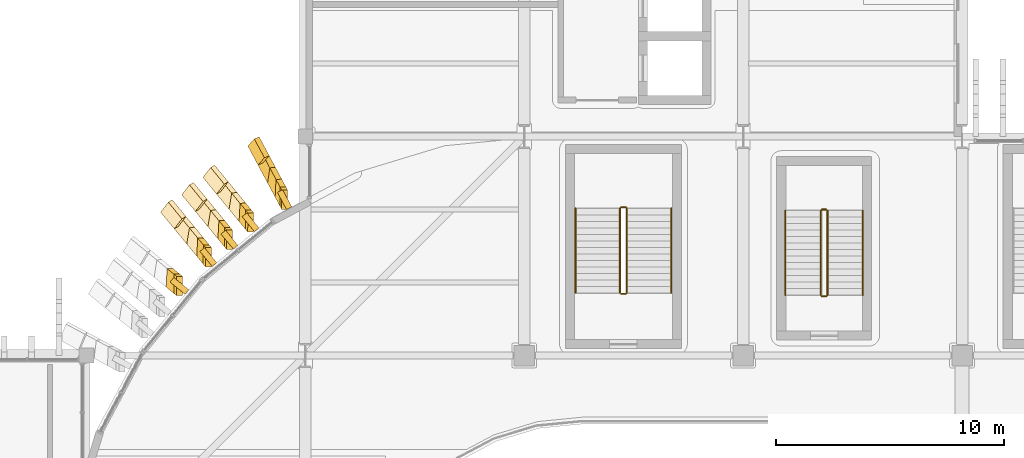
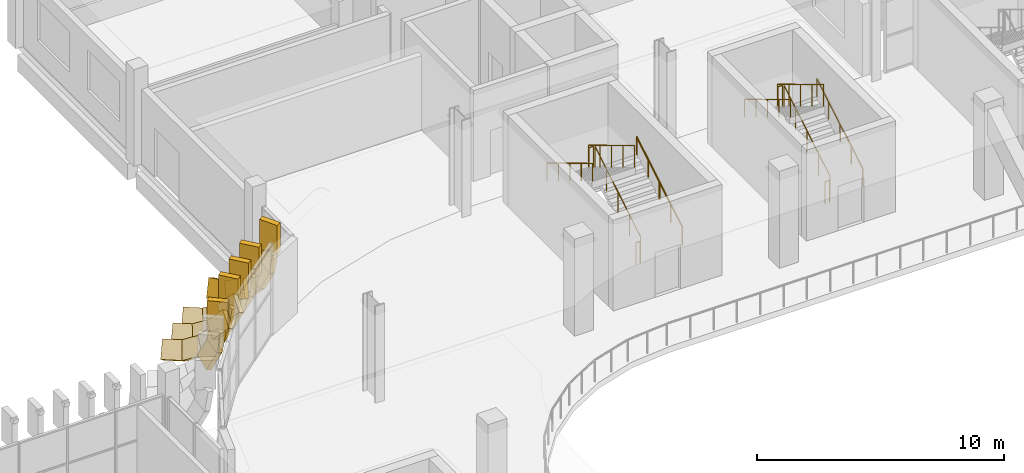
# One storey, part 84 of 100: 27 coverings, 12 railings.
"""IFC4 building model written with IfcOpenShell, lengths in metres."""

from ifc_helpers import new_model, si_unit, direction, frame, origin, origin_2d, place, context, subcontext, project, spatial, rectangle, circle, extrude, material, material_profile, profile_set, type_object, element, save


model = new_model("IFC4")

# Units and contexts
model_context = context("Model", 3, precision=1e-05, world=origin(), true_north=direction((0.0, 1.0)))
body_context = subcontext(model_context, "Body", "Model", "MODEL_VIEW")
ifc_project = project(units=[si_unit("LENGTHUNIT", "METRE"), si_unit("AREAUNIT", "SQUARE_METRE"), si_unit("VOLUMEUNIT", "CUBIC_METRE"), si_unit("PLANEANGLEUNIT", "RADIAN"), si_unit("MASSUNIT", "GRAM", prefix="KILO")], contexts=[model_context])

# Site, building, storey
site_placement = place(None, origin())
site = spatial("IfcSite", under=ifc_project, at=site_placement, CompositionType="ELEMENT")
building_placement = place(site_placement, origin())
building = spatial("IfcBuilding", under=site, at=building_placement, Name="Caelomonte Colonnade Arena", CompositionType="ELEMENT")
storey_placement = place(building_placement, origin())
storey = spatial("IfcBuildingStorey", under=building, at=storey_placement, Name="L00", CompositionType="ELEMENT", Elevation=0.0)

# Coverings
ifc_material_1 = material(Name="Precast travertine cladding", Category="masonry")
ifc_material_profile = material_profile(ifc_material_1, rectangle(XDim=0.260009765625, YDim=0.85009765625, at=origin_2d()), Name="FIN260X850")
ifc_profile_set = profile_set([ifc_material_profile], Name="Precast travertine cladding")
covering_type = type_object("IfcCoveringType", Name="ENV-FN-SKIRT", PredefinedType="CLADDING", material=ifc_profile_set)
covering_1_placement = place(storey_placement, frame((66.29150390625, 112.436767578125, 3.360107421875), z_axis=(0.0, 0.0, 1.0), x_axis=(0.881921264348, 0.471396736826, 0.0)))
element("IfcCovering", 1, at=covering_1_placement, inside=storey, type_object=covering_type, Name="V1 L00 upper classical fin stem 155", PredefinedType="CLADDING", context=body_context, shape_type="SweptSolid", body=[
    extrude(rectangle(XDim=0.260009765625, YDim=0.85009765625, at=origin_2d()), origin(), (0.0, 0.0, 1.0), 1.4599609375),
])
covering_2_placement = place(storey_placement, frame((66.294677734375, 112.4306640625, 3.474609375), z_axis=(-0.071935878421, 0.135152256427, -0.988210046993), x_axis=(-0.997387160101, -0.003152036005, 0.072172830995)))
element("IfcCovering", 2, at=covering_2_placement, inside=storey, type_object=covering_type, Name="V1 L00 splayed classical fin skirt chord 1 (155)", PredefinedType="CLADDING", context=body_context, shape_type="SweptSolid", body=[
    extrude(rectangle(XDim=0.260009765625, YDim=0.85009765625, at=origin_2d()), origin(), (0.0, 0.0, 1.0), 1.008056640625),
])
for number, where, z_axis, x_axis, name in (
    (3, (66.234619140625, 112.543212890625, 2.563232421875), (-0.20953861603, 0.391946220505, -0.895807863676), (-0.976843601735, -0.043391887943, 0.209508285779), "V1 L00 splayed classical fin skirt chord 2 (155)"),
    (4, (66.047607421875, 112.89306640625, 1.733154296875), (-0.327262171357, 0.612617343717, -0.719443855611), (-0.937684157382, -0.116412376959, 0.327408887304), "V1 L00 splayed classical fin skirt chord 3 (155)"),
):
    element("IfcCovering", number, at=place(storey_placement, frame(where, z_axis=z_axis, x_axis=x_axis)), inside=storey, type_object=covering_type, Name=name, PredefinedType="CLADDING", context=body_context, shape_type="SweptSolid", body=[
        extrude(rectangle(XDim=0.260009765625, YDim=0.85009765625, at=origin_2d()), origin(), (0.0, 0.0, 1.0), 1.0078125),
    ])
covering_3_placement = place(storey_placement, frame((65.751220703125, 113.447998046875, 1.061767578125), z_axis=(-0.414891041546, 0.77577116525, -0.475441397873), x_axis=(-0.883384372099, -0.218283359285, 0.414710050746)))
element("IfcCovering", 5, at=covering_3_placement, inside=storey, type_object=covering_type, Name="V1 L00 splayed classical fin skirt chord 4 (155)", PredefinedType="CLADDING", context=body_context, shape_type="SweptSolid", body=[
    extrude(rectangle(XDim=0.260009765625, YDim=0.85009765625, at=origin_2d()), origin(), (0.0, 0.0, 1.0), 1.008056640625),
])
covering_4_placement = place(storey_placement, frame((65.37255859375, 114.156005859375, 0.6123046875), z_axis=(-0.46296463112, 0.866347286164, -0.187366299232), x_axis=(-0.819453342701, -0.337760921737, 0.4630483548)))
element("IfcCovering", 6, at=covering_4_placement, inside=storey, type_object=covering_type, Name="V1 L00 splayed classical fin skirt chord 5 (155)", PredefinedType="CLADDING", context=body_context, shape_type="SweptSolid", body=[
    extrude(rectangle(XDim=0.260009765625, YDim=0.85009765625, at=origin_2d()), origin(), (0.0, 0.0, 1.0), 0.962890625),
])
covering_5_placement = place(storey_placement, frame((64.802490234375, 111.44189453125, 3.360107421875), z_axis=(0.0, 0.0, 1.0), x_axis=(0.77299384472, 0.634413521313, 0.0)))
element("IfcCovering", 7, at=covering_5_placement, inside=storey, type_object=covering_type, Name="V1 L00 upper classical fin stem 156", PredefinedType="CLADDING", context=body_context, shape_type="SweptSolid", body=[
    extrude(rectangle(XDim=0.260009765625, YDim=0.85009765625, at=origin_2d()), origin(), (0.0, 0.0, 1.0), 1.4599609375),
])
for number, where, z_axis, x_axis, name in (
    (8, (64.806884765625, 111.4365234375, 3.474609375), (-0.097127335462, 0.11819984964, -0.988228251089), (-0.99525848015, -0.006366466969, 0.097056817318), "V1 L00 splayed classical fin skirt chord 1 (156)"),
    (9, (64.72607421875, 111.534912109375, 2.563232421875), (-0.282172581046, 0.343693469961, -0.895686012625), (-0.958007139963, -0.05131451586, 0.282115473242), "V1 L00 splayed classical fin skirt chord 2 (156)"),
    (10, (64.47412109375, 111.841552734375, 1.733154296875), (-0.440592785207, 0.536995164817, -0.719384591569), (-0.887077861354, -0.13748356392, 0.440671235216), "V1 L00 splayed classical fin skirt chord 3 (156)"),
):
    element("IfcCovering", number, at=place(storey_placement, frame(where, z_axis=z_axis, x_axis=x_axis)), inside=storey, type_object=covering_type, Name=name, PredefinedType="CLADDING", context=body_context, shape_type="SweptSolid", body=[
        extrude(rectangle(XDim=0.260009765625, YDim=0.85009765625, at=origin_2d()), origin(), (0.0, 0.0, 1.0), 1.008056640625),
    ])
covering_6_placement = place(storey_placement, frame((64.074951171875, 112.328125, 1.061767578125), z_axis=(-0.558128890161, 0.679977341442, -0.47552387647), x_axis=(-0.788895895892, -0.257240809119, 0.558095360641)))
element("IfcCovering", 11, at=covering_6_placement, inside=storey, type_object=covering_type, Name="V1 L00 splayed classical fin skirt chord 4 (156)", PredefinedType="CLADDING", context=body_context, shape_type="SweptSolid", body=[
    extrude(rectangle(XDim=0.260009765625, YDim=0.85009765625, at=origin_2d()), origin(), (0.0, 0.0, 1.0), 1.0078125),
])
covering_7_placement = place(storey_placement, frame((63.565673828125, 112.94873046875, 0.6123046875), z_axis=(-0.623289567494, 0.759206251049, -0.187392591692), x_axis=(-0.672881184706, -0.398602426451, 0.623174948868)))
element("IfcCovering", 12, at=covering_7_placement, inside=storey, type_object=covering_type, Name="V1 L00 splayed classical fin skirt chord 5 (156)", PredefinedType="CLADDING", context=body_context, shape_type="SweptSolid", body=[
    extrude(rectangle(XDim=0.260009765625, YDim=0.85009765625, at=origin_2d()), origin(), (0.0, 0.0, 1.0), 0.962890625),
])
covering_8_placement = place(storey_placement, frame((63.874755859375, 110.680419921875, 3.360107421875), z_axis=(0.0, 0.0, 1.0), x_axis=(0.77299384472, 0.634413521313, 0.0)))
element("IfcCovering", 13, at=covering_8_placement, inside=storey, type_object=covering_type, Name="V1 L00 upper classical fin stem 157", PredefinedType="CLADDING", context=body_context, shape_type="SweptSolid", body=[
    extrude(rectangle(XDim=0.260009765625, YDim=0.85009765625, at=origin_2d()), origin(), (0.0, 0.0, 1.0), 1.4599609375),
])
covering_9_placement = place(storey_placement, frame((63.879150390625, 110.67529296875, 3.474609375), z_axis=(-0.097130113441, 0.117961010588, -0.988256515811), x_axis=(-0.995262967256, -0.007354230871, 0.096940916528)))
element("IfcCovering", 14, at=covering_9_placement, inside=storey, type_object=covering_type, Name="V1 L00 splayed classical fin skirt chord 1 (157)", PredefinedType="CLADDING", context=body_context, shape_type="SweptSolid", body=[
    extrude(rectangle(XDim=0.260009765625, YDim=0.85009765625, at=origin_2d()), origin(), (0.0, 0.0, 1.0), 1.0078125),
])
for number, where, z_axis, x_axis, name in (
    (15, (63.79833984375, 110.7734375, 2.563232421875), (-0.281926155371, 0.343930533184, -0.895672613884), (-0.958040803784, -0.050586734672, 0.282132593935), "V1 L00 splayed classical fin skirt chord 2 (157)"),
    (16, (63.546630859375, 111.080322265625, 1.733154296875), (-0.440592785207, 0.536995164817, -0.719384591569), (-0.887077861354, -0.13748356392, 0.440671235216), "V1 L00 splayed classical fin skirt chord 3 (157)"),
):
    element("IfcCovering", number, at=place(storey_placement, frame(where, z_axis=z_axis, x_axis=x_axis)), inside=storey, type_object=covering_type, Name=name, PredefinedType="CLADDING", context=body_context, shape_type="SweptSolid", body=[
        extrude(rectangle(XDim=0.260009765625, YDim=0.85009765625, at=origin_2d()), origin(), (0.0, 0.0, 1.0), 1.008056640625),
    ])
covering_10_placement = place(storey_placement, frame((63.1474609375, 111.56689453125, 1.061767578125), z_axis=(-0.558128890161, 0.679977341442, -0.47552387647), x_axis=(-0.788895895892, -0.257240809119, 0.558095360641)))
element("IfcCovering", 17, at=covering_10_placement, inside=storey, type_object=covering_type, Name="V1 L00 splayed classical fin skirt chord 4 (157)", PredefinedType="CLADDING", context=body_context, shape_type="SweptSolid", body=[
    extrude(rectangle(XDim=0.260009765625, YDim=0.85009765625, at=origin_2d()), origin(), (0.0, 0.0, 1.0), 1.0078125),
])
covering_11_placement = place(storey_placement, frame((62.637939453125, 112.1875, 0.6123046875), z_axis=(-0.623134466498, 0.759326248554, -0.187422210314), x_axis=(-0.672972634841, -0.398453615864, 0.62317136388)))
element("IfcCovering", 18, at=covering_11_placement, inside=storey, type_object=covering_type, Name="V1 L00 splayed classical fin skirt chord 5 (157)", PredefinedType="CLADDING", context=body_context, shape_type="SweptSolid", body=[
    extrude(rectangle(XDim=0.260009765625, YDim=0.85009765625, at=origin_2d()), origin(), (0.0, 0.0, 1.0), 0.962646484375),
])
covering_12_placement = place(storey_placement, frame((62.947265625, 109.919189453125, 3.360107421875), z_axis=(0.0, 0.0, 1.0), x_axis=(0.77299384472, 0.634413521313, 0.0)))
element("IfcCovering", 19, at=covering_12_placement, inside=storey, type_object=covering_type, Name="V1 L00 upper classical fin stem 158", PredefinedType="CLADDING", context=body_context, shape_type="SweptSolid", body=[
    extrude(rectangle(XDim=0.260009765625, YDim=0.85009765625, at=origin_2d()), origin(), (0.0, 0.0, 1.0), 1.4599609375),
])
for number, where, z_axis, x_axis, name in (
    (20, (62.95166015625, 109.913818359375, 3.474609375), (-0.097127335462, 0.11819984964, -0.988228251089), (-0.99525848015, -0.006366466969, 0.097056817318), "V1 L00 splayed classical fin skirt chord 1 (158)"),
    (21, (62.870849609375, 110.01220703125, 2.563232421875), (-0.282172581046, 0.343693469961, -0.895686012625), (-0.958007139963, -0.05131451586, 0.282115473242), "V1 L00 splayed classical fin skirt chord 2 (158)"),
    (22, (62.618896484375, 110.319091796875, 1.733154296875), (-0.440592785207, 0.536995164817, -0.719384591569), (-0.887077861354, -0.13748356392, 0.440671235216), "V1 L00 splayed classical fin skirt chord 3 (158)"),
    (23, (62.2197265625, 110.805419921875, 1.061767578125), (-0.558036961483, 0.680107546807, -0.475445553555), (-0.788909297872, -0.257141420872, 0.558122217264), "V1 L00 splayed classical fin skirt chord 4 (158)"),
):
    element("IfcCovering", number, at=place(storey_placement, frame(where, z_axis=z_axis, x_axis=x_axis)), inside=storey, type_object=covering_type, Name=name, PredefinedType="CLADDING", context=body_context, shape_type="SweptSolid", body=[
        extrude(rectangle(XDim=0.260009765625, YDim=0.85009765625, at=origin_2d()), origin(), (0.0, 0.0, 1.0), 1.008056640625),
    ])
covering_13_placement = place(storey_placement, frame((61.71044921875, 111.426025390625, 0.6123046875), z_axis=(-0.623169588637, 0.759313636277, -0.187356519936), x_axis=(-0.672931937109, -0.398509912609, 0.623179314139)))
element("IfcCovering", 24, at=covering_13_placement, inside=storey, type_object=covering_type, Name="V1 L00 splayed classical fin skirt chord 5 (158)", PredefinedType="CLADDING", context=body_context, shape_type="SweptSolid", body=[
    extrude(rectangle(XDim=0.260009765625, YDim=0.85009765625, at=origin_2d()), origin(), (0.0, 0.0, 1.0), 0.962890625),
])
covering_14_placement = place(storey_placement, frame((61.680908203125, 108.65283203125, 3.360107421875), z_axis=(0.0, 0.0, 1.0), x_axis=(0.634413521313, 0.77299384472, 0.0)))
element("IfcCovering", 25, at=covering_14_placement, inside=storey, type_object=covering_type, Name="V1 L00 upper classical fin stem 159", PredefinedType="CLADDING", context=body_context, shape_type="SweptSolid", body=[
    extrude(rectangle(XDim=0.260009765625, YDim=0.85009765625, at=origin_2d()), origin(), (0.0, 0.0, 1.0), 1.4599609375),
])
for number, where, z_axis, x_axis, name in (
    (26, (61.68603515625, 108.6484375, 3.474609375), (-0.11819984964, 0.097127335462, -0.988228251089), (-0.992969417275, -0.005180578696, 0.11825776068), "V1 L00 splayed classical fin skirt chord 1 (159)"),
    (27, (61.587890625, 108.729248046875, 2.563232421875), (-0.343930533184, 0.281926155371, -0.895672613884), (-0.937631468445, -0.051724860589, 0.343761208076), "V1 L00 splayed classical fin skirt chord 2 (159)"),
):
    element("IfcCovering", number, at=place(storey_placement, frame(where, z_axis=z_axis, x_axis=x_axis)), inside=storey, type_object=covering_type, Name=name, PredefinedType="CLADDING", context=body_context, shape_type="SweptSolid", body=[
        extrude(rectangle(XDim=0.260009765625, YDim=0.85009765625, at=origin_2d()), origin(), (0.0, 0.0, 1.0), 1.008056640625),
    ])

# Railings
ifc_material_2 = material(Name="Painted galvanized steel stair guard", Category="steel")
railing_type_1 = type_object("IfcRailingType", Name="INT-RL-GRD", PredefinedType="GUARDRAIL", material=ifc_material_2)
railing_1_placement = place(storey_placement, frame((81.300048828125, 108.35009765625, 0.17138671875)))
element("IfcRailing", 28, at=railing_1_placement, inside=storey, type_object=railing_type_1, Name="L00 ST-14 stair guard 1", PredefinedType="GUARDRAIL", context=body_context, shape_type="SweptSolid", body=[
    extrude(circle(Radius=0.02392578125, at=origin_2d()), frame((0.0, 0.0, 1.076171875), z_axis=(0.0, 0.856919398105, 0.515450429384), x_axis=(-1.0, 0.0, 0.0)), (0.0, 0.0, 1.0), 4.323486328125),
    extrude(circle(Radius=0.02099609375, at=origin_2d()), origin(), (0.0, 0.0, 1.0), 1.048095703125),
    extrude(circle(Radius=0.02099609375, at=origin_2d()), frame((0.0, 0.92626953125, 0.55712890625)), (0.0, 0.0, 1.0), 1.048095703125),
    extrude(circle(Radius=0.02099609375, at=origin_2d()), frame((0.0, 1.8525390625, 1.1142578125)), (0.0, 0.0, 1.0), 1.048095703125),
    extrude(circle(Radius=0.02099609375, at=origin_2d()), frame((0.0, 2.778564453125, 1.67138671875)), (0.0, 0.0, 1.0), 1.048095703125),
    extrude(circle(Radius=0.02099609375, at=origin_2d()), frame((0.0, 3.704833984375, 2.228515625)), (0.0, 0.0, 1.0), 1.048095703125),
])
railing_2_placement = place(storey_placement, frame((81.25, 112.10498046875, 2.39990234375)))
element("IfcRailing", 29, at=railing_2_placement, inside=storey, type_object=railing_type_1, Name="L00 ST-14 stair guard 2", PredefinedType="GUARDRAIL", context=body_context, shape_type="SweptSolid", body=[
    extrude(circle(Radius=0.02392578125, at=origin_2d()), frame((0.0, 0.0, 1.076171875), z_axis=(-1.0, 0.0, 0.0), x_axis=(0.0, -1.0, 0.0)), (0.0, 0.0, 1.0), 0.199951171875),
    extrude(circle(Radius=0.02099609375, at=origin_2d()), origin(), (0.0, 0.0, 1.0), 1.048095703125),
    extrude(circle(Radius=0.02099609375, at=origin_2d()), frame((-0.199951171875, 0.0, 0.0)), (0.0, 0.0, 1.0), 1.048095703125),
])
railing_3_placement = place(storey_placement, frame((81.0, 112.054931640625, 2.571533203125)))
element("IfcRailing", 30, at=railing_3_placement, inside=storey, type_object=railing_type_1, Name="L00 ST-14 stair guard 3", PredefinedType="GUARDRAIL", context=body_context, shape_type="SweptSolid", body=[
    extrude(circle(Radius=0.02392578125, at=origin_2d()), frame((0.0, 0.0, 1.076171875), z_axis=(0.0, -0.856919398105, 0.515450429384), x_axis=(1.0, 0.0, 0.0)), (0.0, 0.0, 1.0), 4.323486328125),
    extrude(circle(Radius=0.02099609375, at=origin_2d()), origin(), (0.0, 0.0, 1.0), 1.048095703125),
    extrude(circle(Radius=0.02099609375, at=origin_2d()), frame((0.0, -0.92626953125, 0.55712890625)), (0.0, 0.0, 1.0), 1.048095703125),
    extrude(circle(Radius=0.02099609375, at=origin_2d()), frame((0.0, -1.8525390625, 1.1142578125)), (0.0, 0.0, 1.0), 1.048095703125),
    extrude(circle(Radius=0.02099609375, at=origin_2d()), frame((0.0, -2.778564453125, 1.67138671875)), (0.0, 0.0, 1.0), 1.048095703125),
    extrude(circle(Radius=0.02099609375, at=origin_2d()), frame((0.0, -3.704833984375, 2.228515625)), (0.0, 0.0, 1.0), 1.048095703125),
])
railing_4_placement = place(storey_placement, frame((81.25, 108.300048828125, 0.0)))
element("IfcRailing", 31, at=railing_4_placement, inside=storey, type_object=railing_type_1, Name="L00 ST-14 stair guard 4", PredefinedType="GUARDRAIL", context=body_context, shape_type="SweptSolid", body=[
    extrude(circle(Radius=0.02392578125, at=origin_2d()), frame((0.0, 0.0, 1.076171875), z_axis=(-1.0, 0.0, 0.0), x_axis=(0.0, -1.0, 0.0)), (0.0, 0.0, 1.0), 0.199951171875),
    extrude(circle(Radius=0.02099609375, at=origin_2d()), origin(), (0.0, 0.0, 1.0), 1.048095703125),
    extrude(circle(Radius=0.02099609375, at=origin_2d()), frame((-0.199951171875, 0.0, 0.0)), (0.0, 0.0, 1.0), 1.048095703125),
])
railing_5_placement = place(storey_placement, frame((90.10009765625, 108.25, 0.17138671875)))
element("IfcRailing", 32, at=railing_5_placement, inside=storey, type_object=railing_type_1, Name="L00 ST-V05 stair guard 1", PredefinedType="GUARDRAIL", context=body_context, shape_type="SweptSolid", body=[
    extrude(circle(Radius=0.02392578125, at=origin_2d()), frame((0.0, 0.0, 1.076171875), z_axis=(0.0, 0.856934400257, 0.515425487977), x_axis=(-1.0, 0.0, 0.0)), (0.0, 0.0, 1.0), 4.32373046875),
    extrude(circle(Radius=0.02099609375, at=origin_2d()), origin(), (0.0, 0.0, 1.0), 1.048095703125),
    extrude(circle(Radius=0.02099609375, at=origin_2d()), frame((0.0, 0.92626953125, 0.55712890625)), (0.0, 0.0, 1.0), 1.048095703125),
    extrude(circle(Radius=0.02099609375, at=origin_2d()), frame((0.0, 1.8525390625, 1.1142578125)), (0.0, 0.0, 1.0), 1.048095703125),
    extrude(circle(Radius=0.02099609375, at=origin_2d()), frame((0.0, 2.77880859375, 1.67138671875)), (0.0, 0.0, 1.0), 1.048095703125),
    extrude(circle(Radius=0.02099609375, at=origin_2d()), frame((0.0, 3.705078125, 2.228515625)), (0.0, 0.0, 1.0), 1.048095703125),
])
railing_6_placement = place(storey_placement, frame((90.050048828125, 112.0048828125, 2.39990234375)))
element("IfcRailing", 33, at=railing_6_placement, inside=storey, type_object=railing_type_1, Name="L00 ST-V05 stair guard 2", PredefinedType="GUARDRAIL", context=body_context, shape_type="SweptSolid", body=[
    extrude(circle(Radius=0.02392578125, at=origin_2d()), frame((0.0, 0.0, 1.076171875), z_axis=(-1.0, 0.0, 0.0), x_axis=(0.0, -1.0, 0.0)), (0.0, 0.0, 1.0), 0.199951171875),
    extrude(circle(Radius=0.02099609375, at=origin_2d()), origin(), (0.0, 0.0, 1.0), 1.048095703125),
    extrude(circle(Radius=0.02099609375, at=origin_2d()), frame((-0.199951171875, 0.0, 0.0)), (0.0, 0.0, 1.0), 1.048095703125),
])
railing_7_placement = place(storey_placement, frame((89.800048828125, 111.955078125, 2.571533203125)))
element("IfcRailing", 34, at=railing_7_placement, inside=storey, type_object=railing_type_1, Name="L00 ST-V05 stair guard 3", PredefinedType="GUARDRAIL", context=body_context, shape_type="SweptSolid", body=[
    extrude(circle(Radius=0.02392578125, at=origin_2d()), frame((0.0, 0.0, 1.076171875), z_axis=(0.0, -0.856934400257, 0.515425487977), x_axis=(1.0, 0.0, 0.0)), (0.0, 0.0, 1.0), 4.32373046875),
    extrude(circle(Radius=0.02099609375, at=origin_2d()), origin(), (0.0, 0.0, 1.0), 1.048095703125),
    extrude(circle(Radius=0.02099609375, at=origin_2d()), frame((0.0, -0.92626953125, 0.55712890625)), (0.0, 0.0, 1.0), 1.048095703125),
    extrude(circle(Radius=0.02099609375, at=origin_2d()), frame((0.0, -1.8525390625, 1.1142578125)), (0.0, 0.0, 1.0), 1.048095703125),
    extrude(circle(Radius=0.02099609375, at=origin_2d()), frame((0.0, -2.77880859375, 1.67138671875)), (0.0, 0.0, 1.0), 1.048095703125),
    extrude(circle(Radius=0.02099609375, at=origin_2d()), frame((0.0, -3.705078125, 2.228515625)), (0.0, 0.0, 1.0), 1.048095703125),
])
railing_8_placement = place(storey_placement, frame((90.050048828125, 108.199951171875, 0.0)))
element("IfcRailing", 35, at=railing_8_placement, inside=storey, type_object=railing_type_1, Name="L00 ST-V05 stair guard 4", PredefinedType="GUARDRAIL", context=body_context, shape_type="SweptSolid", body=[
    extrude(circle(Radius=0.02392578125, at=origin_2d()), frame((0.0, 0.0, 1.076171875), z_axis=(-1.0, 0.0, 0.0), x_axis=(0.0, -1.0, 0.0)), (0.0, 0.0, 1.0), 0.199951171875),
    extrude(circle(Radius=0.02099609375, at=origin_2d()), origin(), (0.0, 0.0, 1.0), 1.048095703125),
    extrude(circle(Radius=0.02099609375, at=origin_2d()), frame((-0.199951171875, 0.0, 0.0)), (0.0, 0.0, 1.0), 1.048095703125),
])
ifc_material_3 = material(Name="Brushed stainless steel stair handrail", Category="steel")
railing_type_2 = type_object("IfcRailingType", Name="INT-RL-HR", PredefinedType="HANDRAIL", material=ifc_material_3)
railing_9_placement = place(storey_placement, frame((83.25, 108.35009765625, 0.17138671875)))
element("IfcRailing", 36, at=railing_9_placement, inside=storey, type_object=railing_type_2, Name="L00 ST-14 stair handrail 1", PredefinedType="HANDRAIL", context=body_context, shape_type="SweptSolid", body=[
    extrude(circle(Radius=0.02392578125, at=origin_2d()), frame((0.0, 0.0, 0.8759765625), z_axis=(0.0, 0.856919398105, 0.515450429384), x_axis=(-1.0, 0.0, 0.0)), (0.0, 0.0, 1.0), 4.323486328125),
    extrude(circle(Radius=0.02099609375, at=origin_2d()), origin(), (0.0, 0.0, 1.0), 0.847900390625),
    extrude(circle(Radius=0.02099609375, at=origin_2d()), frame((0.0, 0.92626953125, 0.55712890625)), (0.0, 0.0, 1.0), 0.847900390625),
    extrude(circle(Radius=0.02099609375, at=origin_2d()), frame((0.0, 1.8525390625, 1.1142578125)), (0.0, 0.0, 1.0), 0.847900390625),
    extrude(circle(Radius=0.02099609375, at=origin_2d()), frame((0.0, 2.778564453125, 1.67138671875)), (0.0, 0.0, 1.0), 0.847900390625),
    extrude(circle(Radius=0.02099609375, at=origin_2d()), frame((0.0, 3.704833984375, 2.228515625)), (0.0, 0.0, 1.0), 0.847900390625),
])
railing_10_placement = place(storey_placement, frame((79.050048828125, 112.054931640625, 2.571533203125)))
element("IfcRailing", 37, at=railing_10_placement, inside=storey, type_object=railing_type_2, Name="L00 ST-14 stair handrail 2", PredefinedType="HANDRAIL", context=body_context, shape_type="SweptSolid", body=[
    extrude(circle(Radius=0.02392578125, at=origin_2d()), frame((0.0, 0.0, 0.8759765625), z_axis=(0.0, -0.856919398105, 0.515450429384), x_axis=(1.0, 0.0, 0.0)), (0.0, 0.0, 1.0), 4.323486328125),
    extrude(circle(Radius=0.02099609375, at=origin_2d()), origin(), (0.0, 0.0, 1.0), 0.847900390625),
    extrude(circle(Radius=0.02099609375, at=origin_2d()), frame((0.0, -0.92626953125, 0.55712890625)), (0.0, 0.0, 1.0), 0.847900390625),
    extrude(circle(Radius=0.02099609375, at=origin_2d()), frame((0.0, -1.8525390625, 1.1142578125)), (0.0, 0.0, 1.0), 0.847900390625),
    extrude(circle(Radius=0.02099609375, at=origin_2d()), frame((0.0, -2.778564453125, 1.67138671875)), (0.0, 0.0, 1.0), 0.847900390625),
    extrude(circle(Radius=0.02099609375, at=origin_2d()), frame((0.0, -3.704833984375, 2.228515625)), (0.0, 0.0, 1.0), 0.847900390625),
])
railing_11_placement = place(storey_placement, frame((91.64990234375, 108.25, 0.17138671875)))
element("IfcRailing", 38, at=railing_11_placement, inside=storey, type_object=railing_type_2, Name="L00 ST-V05 stair handrail 1", PredefinedType="HANDRAIL", context=body_context, shape_type="SweptSolid", body=[
    extrude(circle(Radius=0.02392578125, at=origin_2d()), frame((0.0, 0.0, 0.8759765625), z_axis=(0.0, 0.856934400257, 0.515425487977), x_axis=(-1.0, 0.0, 0.0)), (0.0, 0.0, 1.0), 4.32373046875),
    extrude(circle(Radius=0.02099609375, at=origin_2d()), origin(), (0.0, 0.0, 1.0), 0.847900390625),
    extrude(circle(Radius=0.02099609375, at=origin_2d()), frame((0.0, 0.92626953125, 0.55712890625)), (0.0, 0.0, 1.0), 0.847900390625),
    extrude(circle(Radius=0.02099609375, at=origin_2d()), frame((0.0, 1.8525390625, 1.1142578125)), (0.0, 0.0, 1.0), 0.847900390625),
    extrude(circle(Radius=0.02099609375, at=origin_2d()), frame((0.0, 2.77880859375, 1.67138671875)), (0.0, 0.0, 1.0), 0.847900390625),
    extrude(circle(Radius=0.02099609375, at=origin_2d()), frame((0.0, 3.705078125, 2.228515625)), (0.0, 0.0, 1.0), 0.847900390625),
])
railing_12_placement = place(storey_placement, frame((88.25, 111.955078125, 2.571533203125)))
element("IfcRailing", 39, at=railing_12_placement, inside=storey, type_object=railing_type_2, Name="L00 ST-V05 stair handrail 2", PredefinedType="HANDRAIL", context=body_context, shape_type="SweptSolid", body=[
    extrude(circle(Radius=0.02392578125, at=origin_2d()), frame((0.0, 0.0, 0.8759765625), z_axis=(0.0, -0.856934400257, 0.515425487977), x_axis=(1.0, 0.0, 0.0)), (0.0, 0.0, 1.0), 4.32373046875),
    extrude(circle(Radius=0.02099609375, at=origin_2d()), origin(), (0.0, 0.0, 1.0), 0.847900390625),
    extrude(circle(Radius=0.02099609375, at=origin_2d()), frame((0.0, -0.92626953125, 0.55712890625)), (0.0, 0.0, 1.0), 0.847900390625),
    extrude(circle(Radius=0.02099609375, at=origin_2d()), frame((0.0, -1.8525390625, 1.1142578125)), (0.0, 0.0, 1.0), 0.847900390625),
    extrude(circle(Radius=0.02099609375, at=origin_2d()), frame((0.0, -2.77880859375, 1.67138671875)), (0.0, 0.0, 1.0), 0.847900390625),
    extrude(circle(Radius=0.02099609375, at=origin_2d()), frame((0.0, -3.705078125, 2.228515625)), (0.0, 0.0, 1.0), 0.847900390625),
])

save(model, "model.ifc")
